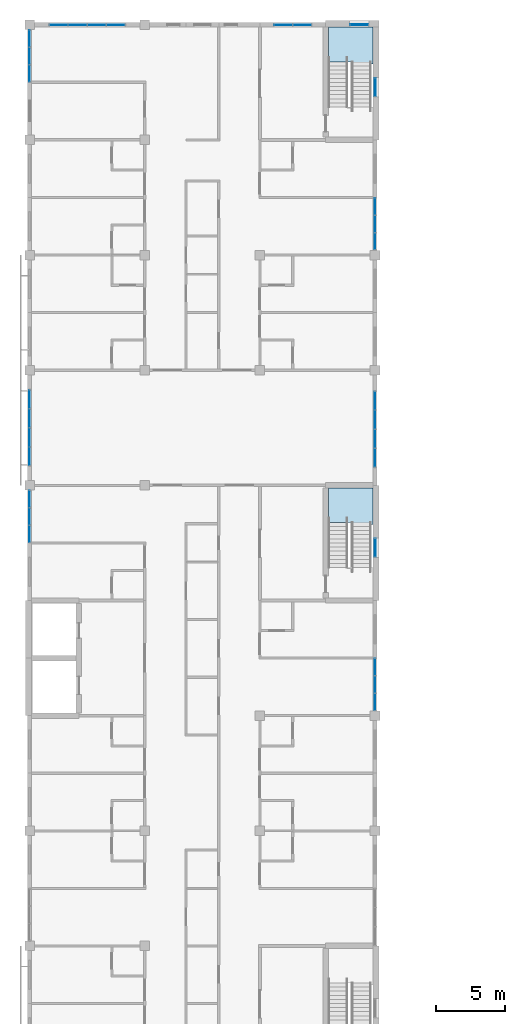
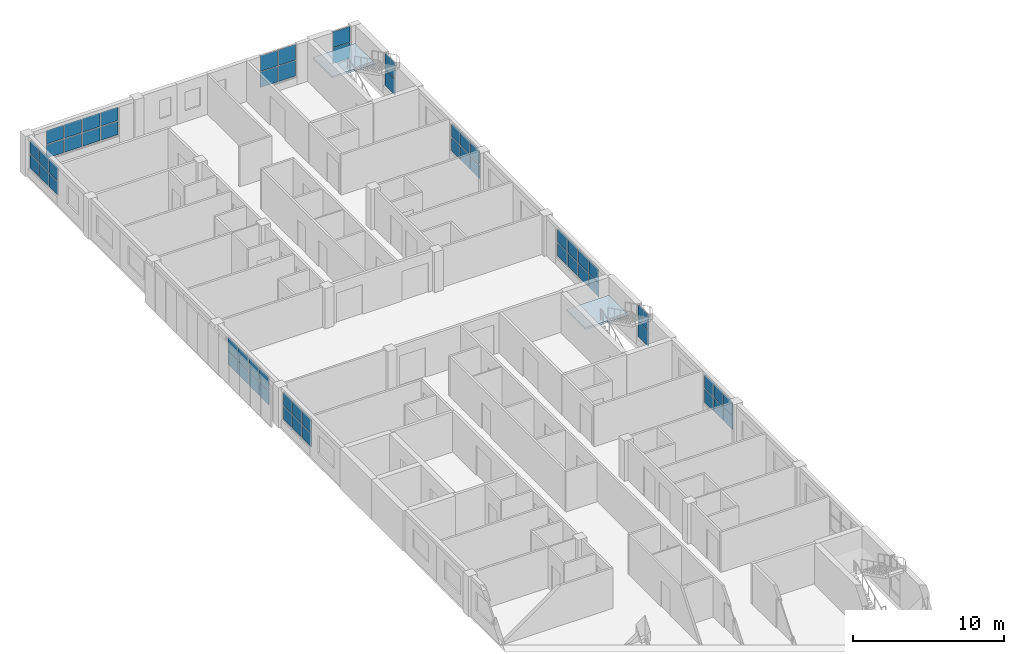
# One storey, part 25 of 61: 58 plates, 2 slabs, 13 elements without a shape of their own.
"""IFC4 building model written with IfcOpenShell, lengths in metres."""

from ifc_helpers import new_model, si_unit, direction, frame, origin, origin_2d, place, context, subcontext, project, spatial, polyline, rectangle, outline, extrude, material, layer, layer_set, type_object, element, aggregate, save


model = new_model("IFC4")

# Units and contexts
model_context = context("Model", 3, precision=1e-05, world=origin(), true_north=direction((0.0, 1.0)))
body_context = subcontext(model_context, "Body", "Model", "MODEL_VIEW")
ifc_project = project(units=[si_unit("LENGTHUNIT", "METRE"), si_unit("AREAUNIT", "SQUARE_METRE"), si_unit("VOLUMEUNIT", "CUBIC_METRE"), si_unit("PLANEANGLEUNIT", "RADIAN"), si_unit("MASSUNIT", "GRAM", prefix="KILO")], contexts=[model_context])

# Site, building, storey
site_placement = place(None, origin())
site = spatial("IfcSite", under=ifc_project, at=site_placement, CompositionType="ELEMENT")
building_placement = place(site_placement, origin())
building = spatial("IfcBuilding", under=site, at=building_placement, Name="Yavir Park General Hospital", CompositionType="ELEMENT")
storey_placement = place(building_placement, frame((0.0, 0.0, 15.300048828125)))
storey = spatial("IfcBuildingStorey", under=building, at=storey_placement, Name="L03", CompositionType="ELEMENT", Elevation=15.300048828125)

# Curtain wall, plates
ifc_material_1 = material(Name="Aluminium curtain wall frame with insulated glazing", Category="aluminium")
curtain_wall_type_1 = type_object("IfcCurtainWallType", Name="Day room pocket glazing, ward floors, 2360 high, 1400 module", PredefinedType="NOTDEFINED", material=ifc_material_1)
curtain_wall_1_placement = place(storey_placement, origin())
curtain_wall_1 = element("IfcCurtainWall", 1, at=curtain_wall_1_placement, inside=storey, type_object=curtain_wall_type_1, Name="CW6 L03-013", PredefinedType="NOTDEFINED")
ifc_material_2 = material(Name="Insulated glazed unit 30 mm, low-e coating")
ifc_layer_1 = layer(ifc_material_2, 0.030029296875)
ifc_layer_set_1 = layer_set([ifc_layer_1], Name="Insulated glazed unit 30 mm, low-e coating")
plate_type_1 = type_object("IfcPlateType", Name="Day room pocket glazing, ward floors, 2360 high panel 30", PredefinedType="CURTAIN_PANEL", material=ifc_layer_set_1)
plate_1_placement = place(storey_placement, frame((2.114990234375, 117.60009765625, 0.65966796875), z_axis=(0.0, 0.0, 1.0), x_axis=(1.0, 0.0, 0.0)))
plate_1 = element("IfcPlate", 2, at=plate_1_placement, type_object=plate_type_1, Name="CW6 panel 1.1", PredefinedType="CURTAIN_PANEL", context=body_context, shape_type="SweptSolid", body=[
    extrude(rectangle(XDim=1.31005859375, YDim=0.030029296875, at=origin_2d()), origin(), (0.0, 0.0, 1.0), 1.090087890625),
])
plate_2_placement = place(storey_placement, frame((2.114990234375, 117.60009765625, 1.81005859375), z_axis=(0.0, 0.0, 1.0), x_axis=(1.0, 0.0, 0.0)))
plate_2 = element("IfcPlate", 3, at=plate_2_placement, type_object=plate_type_1, Name="CW6 panel 1.2", PredefinedType="CURTAIN_PANEL", context=body_context, shape_type="SweptSolid", body=[
    extrude(rectangle(XDim=1.31005859375, YDim=0.030029296875, at=origin_2d()), origin(), (0.0, 0.0, 1.0), 1.090087890625),
])
plate_3_placement = place(storey_placement, frame((3.5, 117.60009765625, 0.65966796875), z_axis=(0.0, 0.0, 1.0), x_axis=(1.0, 0.0, 0.0)))
plate_3 = element("IfcPlate", 4, at=plate_3_placement, type_object=plate_type_1, Name="CW6 panel 2.1", PredefinedType="CURTAIN_PANEL", context=body_context, shape_type="SweptSolid", body=[
    extrude(rectangle(XDim=1.340087890625, YDim=0.030029296875, at=origin_2d()), origin(), (0.0, 0.0, 1.0), 1.090087890625),
])
plate_4_placement = place(storey_placement, frame((3.5, 117.60009765625, 1.81005859375), z_axis=(0.0, 0.0, 1.0), x_axis=(1.0, 0.0, 0.0)))
plate_4 = element("IfcPlate", 5, at=plate_4_placement, type_object=plate_type_1, Name="CW6 panel 2.2", PredefinedType="CURTAIN_PANEL", context=body_context, shape_type="SweptSolid", body=[
    extrude(rectangle(XDim=1.340087890625, YDim=0.030029296875, at=origin_2d()), origin(), (0.0, 0.0, 1.0), 1.090087890625),
])
plate_5_placement = place(storey_placement, frame((4.89990234375, 117.60009765625, 0.65966796875), z_axis=(0.0, 0.0, 1.0), x_axis=(1.0, 0.0, 0.0)))
plate_5 = element("IfcPlate", 6, at=plate_5_placement, type_object=plate_type_1, Name="CW6 panel 3.1", PredefinedType="CURTAIN_PANEL", context=body_context, shape_type="SweptSolid", body=[
    extrude(rectangle(XDim=1.340087890625, YDim=0.030029296875, at=origin_2d()), origin(), (0.0, 0.0, 1.0), 1.090087890625),
])
plate_6_placement = place(storey_placement, frame((4.89990234375, 117.60009765625, 1.81005859375), z_axis=(0.0, 0.0, 1.0), x_axis=(1.0, 0.0, 0.0)))
plate_6 = element("IfcPlate", 7, at=plate_6_placement, type_object=plate_type_1, Name="CW6 panel 3.2", PredefinedType="CURTAIN_PANEL", context=body_context, shape_type="SweptSolid", body=[
    extrude(rectangle(XDim=1.340087890625, YDim=0.030029296875, at=origin_2d()), origin(), (0.0, 0.0, 1.0), 1.090087890625),
])
plate_7_placement = place(storey_placement, frame((6.284912109375, 117.60009765625, 0.65966796875), z_axis=(0.0, 0.0, 1.0), x_axis=(1.0, 0.0, 0.0)))
plate_7 = element("IfcPlate", 8, at=plate_7_placement, type_object=plate_type_1, Name="CW6 panel 4.1", PredefinedType="CURTAIN_PANEL", context=body_context, shape_type="SweptSolid", body=[
    extrude(rectangle(XDim=1.31005859375, YDim=0.030029296875, at=origin_2d()), origin(), (0.0, 0.0, 1.0), 1.090087890625),
])
plate_8_placement = place(storey_placement, frame((6.284912109375, 117.60009765625, 1.81005859375), z_axis=(0.0, 0.0, 1.0), x_axis=(1.0, 0.0, 0.0)))
plate_8 = element("IfcPlate", 9, at=plate_8_placement, type_object=plate_type_1, Name="CW6 panel 4.2", PredefinedType="CURTAIN_PANEL", context=body_context, shape_type="SweptSolid", body=[
    extrude(rectangle(XDim=1.31005859375, YDim=0.030029296875, at=origin_2d()), origin(), (0.0, 0.0, 1.0), 1.090087890625),
])
aggregate(curtain_wall_1, [plate_1, plate_2, plate_3, plate_4, plate_5, plate_6, plate_7, plate_8])

curtain_wall_2_placement = place(storey_placement, origin())
curtain_wall_2 = element("IfcCurtainWall", 10, at=curtain_wall_2_placement, inside=storey, type_object=curtain_wall_type_1, Name="CW6 L03-019", PredefinedType="NOTDEFINED")
plate_9_placement = place(storey_placement, frame((0.0, 80.456787109375, 0.65966796875), z_axis=(0.0, 0.0, 1.0), x_axis=(0.0, 1.0, 0.0)))
plate_9 = element("IfcPlate", 11, at=plate_9_placement, type_object=plate_type_1, Name="CW6 panel 1.1", PredefinedType="CURTAIN_PANEL", context=body_context, shape_type="SweptSolid", body=[
    extrude(rectangle(XDim=1.193359375, YDim=0.030029296875, at=origin_2d()), origin(), (0.0, 0.0, 1.0), 1.090087890625),
])
plate_10_placement = place(storey_placement, frame((0.0, 80.456787109375, 1.81005859375), z_axis=(0.0, 0.0, 1.0), x_axis=(0.0, 1.0, 0.0)))
plate_10 = element("IfcPlate", 12, at=plate_10_placement, type_object=plate_type_1, Name="CW6 panel 1.2", PredefinedType="CURTAIN_PANEL", context=body_context, shape_type="SweptSolid", body=[
    extrude(rectangle(XDim=1.193359375, YDim=0.030029296875, at=origin_2d()), origin(), (0.0, 0.0, 1.0), 1.090087890625),
])
plate_11_placement = place(storey_placement, frame((0.0, 81.72509765625, 0.65966796875), z_axis=(0.0, 0.0, 1.0), x_axis=(0.0, 1.0, 0.0)))
plate_11 = element("IfcPlate", 13, at=plate_11_placement, type_object=plate_type_1, Name="CW6 panel 2.1", PredefinedType="CURTAIN_PANEL", context=body_context, shape_type="SweptSolid", body=[
    extrude(rectangle(XDim=1.223388671875, YDim=0.030029296875, at=origin_2d()), origin(), (0.0, 0.0, 1.0), 1.090087890625),
])
plate_12_placement = place(storey_placement, frame((0.0, 81.72509765625, 1.81005859375), z_axis=(0.0, 0.0, 1.0), x_axis=(0.0, 1.0, 0.0)))
plate_12 = element("IfcPlate", 14, at=plate_12_placement, type_object=plate_type_1, Name="CW6 panel 2.2", PredefinedType="CURTAIN_PANEL", context=body_context, shape_type="SweptSolid", body=[
    extrude(rectangle(XDim=1.223388671875, YDim=0.030029296875, at=origin_2d()), origin(), (0.0, 0.0, 1.0), 1.090087890625),
])
plate_13_placement = place(storey_placement, frame((0.0, 82.993408203125, 0.65966796875), z_axis=(0.0, 0.0, 1.0), x_axis=(0.0, 1.0, 0.0)))
plate_13 = element("IfcPlate", 15, at=plate_13_placement, type_object=plate_type_1, Name="CW6 panel 3.1", PredefinedType="CURTAIN_PANEL", context=body_context, shape_type="SweptSolid", body=[
    extrude(rectangle(XDim=1.193359375, YDim=0.030029296875, at=origin_2d()), origin(), (0.0, 0.0, 1.0), 1.090087890625),
])
plate_14_placement = place(storey_placement, frame((0.0, 82.993408203125, 1.81005859375), z_axis=(0.0, 0.0, 1.0), x_axis=(0.0, 1.0, 0.0)))
plate_14 = element("IfcPlate", 16, at=plate_14_placement, type_object=plate_type_1, Name="CW6 panel 3.2", PredefinedType="CURTAIN_PANEL", context=body_context, shape_type="SweptSolid", body=[
    extrude(rectangle(XDim=1.193359375, YDim=0.030029296875, at=origin_2d()), origin(), (0.0, 0.0, 1.0), 1.090087890625),
])
aggregate(curtain_wall_2, [plate_9, plate_10, plate_11, plate_12, plate_13, plate_14])

curtain_wall_3_placement = place(storey_placement, origin())
curtain_wall_3 = element("IfcCurtainWall", 17, at=curtain_wall_3_placement, inside=storey, type_object=curtain_wall_type_1, Name="CW6 L03-020", PredefinedType="NOTDEFINED")
plate_15_placement = place(storey_placement, frame((0.0, 86.114990234375, 0.65966796875), z_axis=(0.0, 0.0, 1.0), x_axis=(0.0, 1.0, 0.0)))
plate_15 = element("IfcPlate", 18, at=plate_15_placement, type_object=plate_type_1, Name="CW6 panel 1.1", PredefinedType="CURTAIN_PANEL", context=body_context, shape_type="SweptSolid", body=[
    extrude(rectangle(XDim=1.31005859375, YDim=0.030029296875, at=origin_2d()), origin(), (0.0, 0.0, 1.0), 1.090087890625),
])
plate_16_placement = place(storey_placement, frame((0.0, 86.114990234375, 1.81005859375), z_axis=(0.0, 0.0, 1.0), x_axis=(0.0, 1.0, 0.0)))
plate_16 = element("IfcPlate", 19, at=plate_16_placement, type_object=plate_type_1, Name="CW6 panel 1.2", PredefinedType="CURTAIN_PANEL", context=body_context, shape_type="SweptSolid", body=[
    extrude(rectangle(XDim=1.31005859375, YDim=0.030029296875, at=origin_2d()), origin(), (0.0, 0.0, 1.0), 1.090087890625),
])
plate_17_placement = place(storey_placement, frame((0.0, 87.5, 0.65966796875), z_axis=(0.0, 0.0, 1.0), x_axis=(0.0, 1.0, 0.0)))
plate_17 = element("IfcPlate", 20, at=plate_17_placement, type_object=plate_type_1, Name="CW6 panel 2.1", PredefinedType="CURTAIN_PANEL", context=body_context, shape_type="SweptSolid", body=[
    extrude(rectangle(XDim=1.340087890625, YDim=0.030029296875, at=origin_2d()), origin(), (0.0, 0.0, 1.0), 1.090087890625),
])
plate_18_placement = place(storey_placement, frame((0.0, 87.5, 1.81005859375), z_axis=(0.0, 0.0, 1.0), x_axis=(0.0, 1.0, 0.0)))
plate_18 = element("IfcPlate", 21, at=plate_18_placement, type_object=plate_type_1, Name="CW6 panel 2.2", PredefinedType="CURTAIN_PANEL", context=body_context, shape_type="SweptSolid", body=[
    extrude(rectangle(XDim=1.340087890625, YDim=0.030029296875, at=origin_2d()), origin(), (0.0, 0.0, 1.0), 1.090087890625),
])
plate_19_placement = place(storey_placement, frame((0.0, 88.89990234375, 0.65966796875), z_axis=(0.0, 0.0, 1.0), x_axis=(0.0, 1.0, 0.0)))
plate_19 = element("IfcPlate", 22, at=plate_19_placement, type_object=plate_type_1, Name="CW6 panel 3.1", PredefinedType="CURTAIN_PANEL", context=body_context, shape_type="SweptSolid", body=[
    extrude(rectangle(XDim=1.340087890625, YDim=0.030029296875, at=origin_2d()), origin(), (0.0, 0.0, 1.0), 1.090087890625),
])
plate_20_placement = place(storey_placement, frame((0.0, 88.89990234375, 1.81005859375), z_axis=(0.0, 0.0, 1.0), x_axis=(0.0, 1.0, 0.0)))
plate_20 = element("IfcPlate", 23, at=plate_20_placement, type_object=plate_type_1, Name="CW6 panel 3.2", PredefinedType="CURTAIN_PANEL", context=body_context, shape_type="SweptSolid", body=[
    extrude(rectangle(XDim=1.340087890625, YDim=0.030029296875, at=origin_2d()), origin(), (0.0, 0.0, 1.0), 1.090087890625),
])
plate_21_placement = place(storey_placement, frame((0.0, 90.284912109375, 0.65966796875), z_axis=(0.0, 0.0, 1.0), x_axis=(0.0, 1.0, 0.0)))
plate_21 = element("IfcPlate", 24, at=plate_21_placement, type_object=plate_type_1, Name="CW6 panel 4.1", PredefinedType="CURTAIN_PANEL", context=body_context, shape_type="SweptSolid", body=[
    extrude(rectangle(XDim=1.31005859375, YDim=0.030029296875, at=origin_2d()), origin(), (0.0, 0.0, 1.0), 1.090087890625),
])
plate_22_placement = place(storey_placement, frame((0.0, 90.284912109375, 1.81005859375), z_axis=(0.0, 0.0, 1.0), x_axis=(0.0, 1.0, 0.0)))
plate_22 = element("IfcPlate", 25, at=plate_22_placement, type_object=plate_type_1, Name="CW6 panel 4.2", PredefinedType="CURTAIN_PANEL", context=body_context, shape_type="SweptSolid", body=[
    extrude(rectangle(XDim=1.31005859375, YDim=0.030029296875, at=origin_2d()), origin(), (0.0, 0.0, 1.0), 1.090087890625),
])
aggregate(curtain_wall_3, [plate_15, plate_16, plate_17, plate_18, plate_19, plate_20, plate_21, plate_22])

curtain_wall_4_placement = place(storey_placement, origin())
curtain_wall_4 = element("IfcCurtainWall", 26, at=curtain_wall_4_placement, inside=storey, type_object=curtain_wall_type_1, Name="CW6 L03-021", PredefinedType="NOTDEFINED")
plate_23_placement = place(storey_placement, frame((0.0, 114.056640625, 0.65966796875), z_axis=(0.0, 0.0, 1.0), x_axis=(0.0, 1.0, 0.0)))
plate_23 = element("IfcPlate", 27, at=plate_23_placement, type_object=plate_type_1, Name="CW6 panel 1.1", PredefinedType="CURTAIN_PANEL", context=body_context, shape_type="SweptSolid", body=[
    extrude(rectangle(XDim=1.193359375, YDim=0.030029296875, at=origin_2d()), origin(), (0.0, 0.0, 1.0), 1.090087890625),
])
plate_24_placement = place(storey_placement, frame((0.0, 114.056640625, 1.81005859375), z_axis=(0.0, 0.0, 1.0), x_axis=(0.0, 1.0, 0.0)))
plate_24 = element("IfcPlate", 28, at=plate_24_placement, type_object=plate_type_1, Name="CW6 panel 1.2", PredefinedType="CURTAIN_PANEL", context=body_context, shape_type="SweptSolid", body=[
    extrude(rectangle(XDim=1.193359375, YDim=0.030029296875, at=origin_2d()), origin(), (0.0, 0.0, 1.0), 1.090087890625),
])
plate_25_placement = place(storey_placement, frame((0.0, 115.324951171875, 0.65966796875), z_axis=(0.0, 0.0, 1.0), x_axis=(0.0, 1.0, 0.0)))
plate_25 = element("IfcPlate", 29, at=plate_25_placement, type_object=plate_type_1, Name="CW6 panel 2.1", PredefinedType="CURTAIN_PANEL", context=body_context, shape_type="SweptSolid", body=[
    extrude(rectangle(XDim=1.223388671875, YDim=0.030029296875, at=origin_2d()), origin(), (0.0, 0.0, 1.0), 1.090087890625),
])
plate_26_placement = place(storey_placement, frame((0.0, 115.324951171875, 1.81005859375), z_axis=(0.0, 0.0, 1.0), x_axis=(0.0, 1.0, 0.0)))
plate_26 = element("IfcPlate", 30, at=plate_26_placement, type_object=plate_type_1, Name="CW6 panel 2.2", PredefinedType="CURTAIN_PANEL", context=body_context, shape_type="SweptSolid", body=[
    extrude(rectangle(XDim=1.223388671875, YDim=0.030029296875, at=origin_2d()), origin(), (0.0, 0.0, 1.0), 1.090087890625),
])
plate_27_placement = place(storey_placement, frame((0.0, 116.59326171875, 0.65966796875), z_axis=(0.0, 0.0, 1.0), x_axis=(0.0, 1.0, 0.0)))
plate_27 = element("IfcPlate", 31, at=plate_27_placement, type_object=plate_type_1, Name="CW6 panel 3.1", PredefinedType="CURTAIN_PANEL", context=body_context, shape_type="SweptSolid", body=[
    extrude(rectangle(XDim=1.193359375, YDim=0.030029296875, at=origin_2d()), origin(), (0.0, 0.0, 1.0), 1.090087890625),
])
plate_28_placement = place(storey_placement, frame((0.0, 116.59326171875, 1.81005859375), z_axis=(0.0, 0.0, 1.0), x_axis=(0.0, 1.0, 0.0)))
plate_28 = element("IfcPlate", 32, at=plate_28_placement, type_object=plate_type_1, Name="CW6 panel 3.2", PredefinedType="CURTAIN_PANEL", context=body_context, shape_type="SweptSolid", body=[
    extrude(rectangle(XDim=1.193359375, YDim=0.030029296875, at=origin_2d()), origin(), (0.0, 0.0, 1.0), 1.090087890625),
])
aggregate(curtain_wall_4, [plate_23, plate_24, plate_25, plate_26, plate_27, plate_28])

curtain_wall_5_placement = place(storey_placement, origin())
curtain_wall_5 = element("IfcCurtainWall", 33, at=curtain_wall_5_placement, inside=storey, type_object=curtain_wall_type_1, Name="CW6 L03-024", PredefinedType="NOTDEFINED")
plate_29_placement = place(storey_placement, frame((25.199951171875, 68.206787109375, 0.65966796875), z_axis=(0.0, 0.0, 1.0), x_axis=(0.0, 1.0, 0.0)))
plate_29 = element("IfcPlate", 34, at=plate_29_placement, type_object=plate_type_1, Name="CW6 panel 1.1", PredefinedType="CURTAIN_PANEL", context=body_context, shape_type="SweptSolid", body=[
    extrude(rectangle(XDim=1.193359375, YDim=0.030029296875, at=origin_2d()), origin(), (0.0, 0.0, 1.0), 1.090087890625),
])
plate_30_placement = place(storey_placement, frame((25.199951171875, 68.206787109375, 1.81005859375), z_axis=(0.0, 0.0, 1.0), x_axis=(0.0, 1.0, 0.0)))
plate_30 = element("IfcPlate", 35, at=plate_30_placement, type_object=plate_type_1, Name="CW6 panel 1.2", PredefinedType="CURTAIN_PANEL", context=body_context, shape_type="SweptSolid", body=[
    extrude(rectangle(XDim=1.193359375, YDim=0.030029296875, at=origin_2d()), origin(), (0.0, 0.0, 1.0), 1.090087890625),
])
plate_31_placement = place(storey_placement, frame((25.199951171875, 69.47509765625, 0.65966796875), z_axis=(0.0, 0.0, 1.0), x_axis=(0.0, 1.0, 0.0)))
plate_31 = element("IfcPlate", 36, at=plate_31_placement, type_object=plate_type_1, Name="CW6 panel 2.1", PredefinedType="CURTAIN_PANEL", context=body_context, shape_type="SweptSolid", body=[
    extrude(rectangle(XDim=1.223388671875, YDim=0.030029296875, at=origin_2d()), origin(), (0.0, 0.0, 1.0), 1.090087890625),
])
plate_32_placement = place(storey_placement, frame((25.199951171875, 69.47509765625, 1.81005859375), z_axis=(0.0, 0.0, 1.0), x_axis=(0.0, 1.0, 0.0)))
plate_32 = element("IfcPlate", 37, at=plate_32_placement, type_object=plate_type_1, Name="CW6 panel 2.2", PredefinedType="CURTAIN_PANEL", context=body_context, shape_type="SweptSolid", body=[
    extrude(rectangle(XDim=1.223388671875, YDim=0.030029296875, at=origin_2d()), origin(), (0.0, 0.0, 1.0), 1.090087890625),
])
plate_33_placement = place(storey_placement, frame((25.199951171875, 70.743408203125, 0.65966796875), z_axis=(0.0, 0.0, 1.0), x_axis=(0.0, 1.0, 0.0)))
plate_33 = element("IfcPlate", 38, at=plate_33_placement, type_object=plate_type_1, Name="CW6 panel 3.1", PredefinedType="CURTAIN_PANEL", context=body_context, shape_type="SweptSolid", body=[
    extrude(rectangle(XDim=1.193359375, YDim=0.030029296875, at=origin_2d()), origin(), (0.0, 0.0, 1.0), 1.090087890625),
])
plate_34_placement = place(storey_placement, frame((25.199951171875, 70.743408203125, 1.81005859375), z_axis=(0.0, 0.0, 1.0), x_axis=(0.0, 1.0, 0.0)))
plate_34 = element("IfcPlate", 39, at=plate_34_placement, type_object=plate_type_1, Name="CW6 panel 3.2", PredefinedType="CURTAIN_PANEL", context=body_context, shape_type="SweptSolid", body=[
    extrude(rectangle(XDim=1.193359375, YDim=0.030029296875, at=origin_2d()), origin(), (0.0, 0.0, 1.0), 1.090087890625),
])
aggregate(curtain_wall_5, [plate_29, plate_30, plate_31, plate_32, plate_33, plate_34])

curtain_wall_6_placement = place(storey_placement, origin())
curtain_wall_6 = element("IfcCurtainWall", 40, at=curtain_wall_6_placement, inside=storey, type_object=curtain_wall_type_1, Name="CW6 L03-026", PredefinedType="NOTDEFINED")
plate_35_placement = place(storey_placement, frame((25.199951171875, 86.014892578125, 0.65966796875), z_axis=(0.0, 0.0, 1.0), x_axis=(0.0, 1.0, 0.0)))
plate_35 = element("IfcPlate", 41, at=plate_35_placement, type_object=plate_type_1, Name="CW6 panel 1.1", PredefinedType="CURTAIN_PANEL", context=body_context, shape_type="SweptSolid", body=[
    extrude(rectangle(XDim=1.31005859375, YDim=0.030029296875, at=origin_2d()), origin(), (0.0, 0.0, 1.0), 1.090087890625),
])
plate_36_placement = place(storey_placement, frame((25.199951171875, 86.014892578125, 1.81005859375), z_axis=(0.0, 0.0, 1.0), x_axis=(0.0, 1.0, 0.0)))
plate_36 = element("IfcPlate", 42, at=plate_36_placement, type_object=plate_type_1, Name="CW6 panel 1.2", PredefinedType="CURTAIN_PANEL", context=body_context, shape_type="SweptSolid", body=[
    extrude(rectangle(XDim=1.31005859375, YDim=0.030029296875, at=origin_2d()), origin(), (0.0, 0.0, 1.0), 1.090087890625),
])
plate_37_placement = place(storey_placement, frame((25.199951171875, 87.39990234375, 0.65966796875), z_axis=(0.0, 0.0, 1.0), x_axis=(0.0, 1.0, 0.0)))
plate_37 = element("IfcPlate", 43, at=plate_37_placement, type_object=plate_type_1, Name="CW6 panel 2.1", PredefinedType="CURTAIN_PANEL", context=body_context, shape_type="SweptSolid", body=[
    extrude(rectangle(XDim=1.340087890625, YDim=0.030029296875, at=origin_2d()), origin(), (0.0, 0.0, 1.0), 1.090087890625),
])
plate_38_placement = place(storey_placement, frame((25.199951171875, 87.39990234375, 1.81005859375), z_axis=(0.0, 0.0, 1.0), x_axis=(0.0, 1.0, 0.0)))
plate_38 = element("IfcPlate", 44, at=plate_38_placement, type_object=plate_type_1, Name="CW6 panel 2.2", PredefinedType="CURTAIN_PANEL", context=body_context, shape_type="SweptSolid", body=[
    extrude(rectangle(XDim=1.340087890625, YDim=0.030029296875, at=origin_2d()), origin(), (0.0, 0.0, 1.0), 1.090087890625),
])
plate_39_placement = place(storey_placement, frame((25.199951171875, 88.800048828125, 0.65966796875), z_axis=(0.0, 0.0, 1.0), x_axis=(0.0, 1.0, 0.0)))
plate_39 = element("IfcPlate", 45, at=plate_39_placement, type_object=plate_type_1, Name="CW6 panel 3.1", PredefinedType="CURTAIN_PANEL", context=body_context, shape_type="SweptSolid", body=[
    extrude(rectangle(XDim=1.340087890625, YDim=0.030029296875, at=origin_2d()), origin(), (0.0, 0.0, 1.0), 1.090087890625),
])
plate_40_placement = place(storey_placement, frame((25.199951171875, 88.800048828125, 1.81005859375), z_axis=(0.0, 0.0, 1.0), x_axis=(0.0, 1.0, 0.0)))
plate_40 = element("IfcPlate", 46, at=plate_40_placement, type_object=plate_type_1, Name="CW6 panel 3.2", PredefinedType="CURTAIN_PANEL", context=body_context, shape_type="SweptSolid", body=[
    extrude(rectangle(XDim=1.340087890625, YDim=0.030029296875, at=origin_2d()), origin(), (0.0, 0.0, 1.0), 1.090087890625),
])
plate_41_placement = place(storey_placement, frame((25.199951171875, 90.18505859375, 0.65966796875), z_axis=(0.0, 0.0, 1.0), x_axis=(0.0, 1.0, 0.0)))
plate_41 = element("IfcPlate", 47, at=plate_41_placement, type_object=plate_type_1, Name="CW6 panel 4.1", PredefinedType="CURTAIN_PANEL", context=body_context, shape_type="SweptSolid", body=[
    extrude(rectangle(XDim=1.31005859375, YDim=0.030029296875, at=origin_2d()), origin(), (0.0, 0.0, 1.0), 1.090087890625),
])
plate_42_placement = place(storey_placement, frame((25.199951171875, 90.18505859375, 1.81005859375), z_axis=(0.0, 0.0, 1.0), x_axis=(0.0, 1.0, 0.0)))
plate_42 = element("IfcPlate", 48, at=plate_42_placement, type_object=plate_type_1, Name="CW6 panel 4.2", PredefinedType="CURTAIN_PANEL", context=body_context, shape_type="SweptSolid", body=[
    extrude(rectangle(XDim=1.31005859375, YDim=0.030029296875, at=origin_2d()), origin(), (0.0, 0.0, 1.0), 1.090087890625),
])
aggregate(curtain_wall_6, [plate_35, plate_36, plate_37, plate_38, plate_39, plate_40, plate_41, plate_42])

curtain_wall_7_placement = place(storey_placement, origin())
curtain_wall_7 = element("IfcCurtainWall", 49, at=curtain_wall_7_placement, inside=storey, type_object=curtain_wall_type_1, Name="CW6 L03-027", PredefinedType="NOTDEFINED")
plate_43_placement = place(storey_placement, frame((25.199951171875, 101.806640625, 0.65966796875), z_axis=(0.0, 0.0, 1.0), x_axis=(0.0, 1.0, 0.0)))
plate_43 = element("IfcPlate", 50, at=plate_43_placement, type_object=plate_type_1, Name="CW6 panel 1.1", PredefinedType="CURTAIN_PANEL", context=body_context, shape_type="SweptSolid", body=[
    extrude(rectangle(XDim=1.193359375, YDim=0.030029296875, at=origin_2d()), origin(), (0.0, 0.0, 1.0), 1.090087890625),
])
plate_44_placement = place(storey_placement, frame((25.199951171875, 101.806640625, 1.81005859375), z_axis=(0.0, 0.0, 1.0), x_axis=(0.0, 1.0, 0.0)))
plate_44 = element("IfcPlate", 51, at=plate_44_placement, type_object=plate_type_1, Name="CW6 panel 1.2", PredefinedType="CURTAIN_PANEL", context=body_context, shape_type="SweptSolid", body=[
    extrude(rectangle(XDim=1.193359375, YDim=0.030029296875, at=origin_2d()), origin(), (0.0, 0.0, 1.0), 1.090087890625),
])
plate_45_placement = place(storey_placement, frame((25.199951171875, 103.074951171875, 0.65966796875), z_axis=(0.0, 0.0, 1.0), x_axis=(0.0, 1.0, 0.0)))
plate_45 = element("IfcPlate", 52, at=plate_45_placement, type_object=plate_type_1, Name="CW6 panel 2.1", PredefinedType="CURTAIN_PANEL", context=body_context, shape_type="SweptSolid", body=[
    extrude(rectangle(XDim=1.223388671875, YDim=0.030029296875, at=origin_2d()), origin(), (0.0, 0.0, 1.0), 1.090087890625),
])
plate_46_placement = place(storey_placement, frame((25.199951171875, 103.074951171875, 1.81005859375), z_axis=(0.0, 0.0, 1.0), x_axis=(0.0, 1.0, 0.0)))
plate_46 = element("IfcPlate", 53, at=plate_46_placement, type_object=plate_type_1, Name="CW6 panel 2.2", PredefinedType="CURTAIN_PANEL", context=body_context, shape_type="SweptSolid", body=[
    extrude(rectangle(XDim=1.223388671875, YDim=0.030029296875, at=origin_2d()), origin(), (0.0, 0.0, 1.0), 1.090087890625),
])
plate_47_placement = place(storey_placement, frame((25.199951171875, 104.34326171875, 0.65966796875), z_axis=(0.0, 0.0, 1.0), x_axis=(0.0, 1.0, 0.0)))
plate_47 = element("IfcPlate", 54, at=plate_47_placement, type_object=plate_type_1, Name="CW6 panel 3.1", PredefinedType="CURTAIN_PANEL", context=body_context, shape_type="SweptSolid", body=[
    extrude(rectangle(XDim=1.193359375, YDim=0.030029296875, at=origin_2d()), origin(), (0.0, 0.0, 1.0), 1.090087890625),
])
plate_48_placement = place(storey_placement, frame((25.199951171875, 104.34326171875, 1.81005859375), z_axis=(0.0, 0.0, 1.0), x_axis=(0.0, 1.0, 0.0)))
plate_48 = element("IfcPlate", 55, at=plate_48_placement, type_object=plate_type_1, Name="CW6 panel 3.2", PredefinedType="CURTAIN_PANEL", context=body_context, shape_type="SweptSolid", body=[
    extrude(rectangle(XDim=1.193359375, YDim=0.030029296875, at=origin_2d()), origin(), (0.0, 0.0, 1.0), 1.090087890625),
])
aggregate(curtain_wall_7, [plate_43, plate_44, plate_45, plate_46, plate_47, plate_48])

# Stair, slab
ifc_material_3 = material(Name="Concrete C30/37", Category="concrete")
stair_type = type_object("IfcStairType", Name="Patient escape stair, 24 risers of 150 mm, 1400 mm flights", PredefinedType="HALF_TURN_STAIR", material=ifc_material_3)
stair_1_placement = place(storey_placement, origin())
stair_1 = element("IfcStair", 56, at=stair_1_placement, inside=storey, type_object=stair_type, Name="Stair SW2, L03 to L04", PredefinedType="HALF_TURN_STAIR")
ifc_material_4 = material(Name="Concrete C30/37", Category="concrete")
ifc_layer_2 = layer(ifc_material_4, 0.159912109375)
ifc_layer_set_2 = layer_set([ifc_layer_2], Name="Concrete C30/37")
slab_type = type_object("IfcSlabType", Name="Patient escape stair half landing, reinforced concrete 160 mm", PredefinedType="LANDING", material=ifc_layer_set_2)
slab_1_placement = place(storey_placement, frame((0.0, 0.0, 1.639892578125)))
slab_1 = element("IfcSlab", 57, at=slab_1_placement, type_object=slab_type, Name="SW2 landing 1", PredefinedType="LANDING", context=body_context, shape_type="SweptSolid", body=[
    extrude(outline(polyline([(21.800048828125, 81.298583984375), (21.800048828125, 83.800048828125), (25.050048828125, 83.800048828125), (25.050048828125, 81.14990234375), (23.5, 81.14990234375), (23.5, 81.298583984375), (21.800048828125, 81.298583984375)])), origin(), (0.0, 0.0, 1.0), 0.16015625),
])
aggregate(stair_1, [slab_1])

stair_2_placement = place(storey_placement, origin())
stair_2 = element("IfcStair", 58, at=stair_2_placement, inside=storey, type_object=stair_type, Name="Stair SW3, L03 to L04", PredefinedType="HALF_TURN_STAIR")
slab_2_placement = place(storey_placement, frame((0.0, 0.0, 1.639892578125)))
slab_2 = element("IfcSlab", 59, at=slab_2_placement, type_object=slab_type, Name="SW3 landing 1", PredefinedType="LANDING", context=body_context, shape_type="SweptSolid", body=[
    extrude(outline(polyline([(21.800048828125, 114.8984375), (21.800048828125, 117.449951171875), (25.050048828125, 117.449951171875), (25.050048828125, 114.75), (23.5, 114.75), (23.5, 114.8984375), (21.800048828125, 114.8984375)])), origin(), (0.0, 0.0, 1.0), 0.16015625),
])
aggregate(stair_2, [slab_2])

# Curtain wall, plates
ifc_material_5 = material(Name="Aluminium curtain wall frame with insulated glazing", Category="aluminium")
curtain_wall_type_2 = type_object("IfcCurtainWallType", Name="Stair light slot, ward floors, 2660 high, 1400 module", PredefinedType="NOTDEFINED", material=ifc_material_5)
curtain_wall_8_placement = place(storey_placement, origin())
curtain_wall_8 = element("IfcCurtainWall", 60, at=curtain_wall_8_placement, inside=storey, type_object=curtain_wall_type_2, Name="CW10 L03-015", PredefinedType="NOTDEFINED")
ifc_material_6 = material(Name="Fire-resisting glazed unit 70 mm")
ifc_layer_3 = layer(ifc_material_6, 0.070068359375)
ifc_layer_set_3 = layer_set([ifc_layer_3], Name="Fire-resisting glazed unit 70 mm")
plate_type_2 = type_object("IfcPlateType", Name="Stair light slot, ward floors, 2660 high panel 70", PredefinedType="CURTAIN_PANEL", material=ifc_layer_set_3)
plate_49_placement = place(storey_placement, frame((24.050048828125, 117.60009765625, 0.64990234375), z_axis=(0.0, 0.0, 1.0), x_axis=(1.0, 0.0, 0.0)))
plate_49 = element("IfcPlate", 61, at=plate_49_placement, type_object=plate_type_2, Name="CW10 panel 1.1", PredefinedType="CURTAIN_PANEL", context=body_context, shape_type="SweptSolid", body=[
    extrude(rectangle(XDim=1.300048828125, YDim=0.070068359375, at=origin_2d()), origin(), (0.0, 0.0, 1.0), 1.2548828125),
])
plate_50_placement = place(storey_placement, frame((24.050048828125, 117.60009765625, 1.955078125), z_axis=(0.0, 0.0, 1.0), x_axis=(1.0, 0.0, 0.0)))
plate_50 = element("IfcPlate", 62, at=plate_50_placement, type_object=plate_type_2, Name="CW10 panel 1.2", PredefinedType="CURTAIN_PANEL", context=body_context, shape_type="SweptSolid", body=[
    extrude(rectangle(XDim=1.300048828125, YDim=0.070068359375, at=origin_2d()), origin(), (0.0, 0.0, 1.0), 1.2548828125),
])
aggregate(curtain_wall_8, [plate_49, plate_50])

curtain_wall_9_placement = place(storey_placement, origin())
curtain_wall_9 = element("IfcCurtainWall", 63, at=curtain_wall_9_placement, inside=storey, type_object=curtain_wall_type_2, Name="CW10 L03-025", PredefinedType="NOTDEFINED")
plate_51_placement = place(storey_placement, frame((25.199951171875, 79.449951171875, 0.64990234375), z_axis=(0.0, 0.0, 1.0), x_axis=(0.0, 1.0, 0.0)))
plate_51 = element("IfcPlate", 64, at=plate_51_placement, type_object=plate_type_2, Name="CW10 panel 1.1", PredefinedType="CURTAIN_PANEL", context=body_context, shape_type="SweptSolid", body=[
    extrude(rectangle(XDim=1.300048828125, YDim=0.070068359375, at=origin_2d()), origin(), (0.0, 0.0, 1.0), 1.2548828125),
])
plate_52_placement = place(storey_placement, frame((25.199951171875, 79.449951171875, 1.955078125), z_axis=(0.0, 0.0, 1.0), x_axis=(0.0, 1.0, 0.0)))
plate_52 = element("IfcPlate", 65, at=plate_52_placement, type_object=plate_type_2, Name="CW10 panel 1.2", PredefinedType="CURTAIN_PANEL", context=body_context, shape_type="SweptSolid", body=[
    extrude(rectangle(XDim=1.300048828125, YDim=0.070068359375, at=origin_2d()), origin(), (0.0, 0.0, 1.0), 1.2548828125),
])
aggregate(curtain_wall_9, [plate_51, plate_52])

curtain_wall_10_placement = place(storey_placement, origin())
curtain_wall_10 = element("IfcCurtainWall", 66, at=curtain_wall_10_placement, inside=storey, type_object=curtain_wall_type_2, Name="CW10 L03-028", PredefinedType="NOTDEFINED")
plate_53_placement = place(storey_placement, frame((25.199951171875, 113.050048828125, 0.64990234375), z_axis=(0.0, 0.0, 1.0), x_axis=(0.0, 1.0, 0.0)))
plate_53 = element("IfcPlate", 67, at=plate_53_placement, type_object=plate_type_2, Name="CW10 panel 1.1", PredefinedType="CURTAIN_PANEL", context=body_context, shape_type="SweptSolid", body=[
    extrude(rectangle(XDim=1.300048828125, YDim=0.070068359375, at=origin_2d()), origin(), (0.0, 0.0, 1.0), 1.2548828125),
])
plate_54_placement = place(storey_placement, frame((25.199951171875, 113.050048828125, 1.955078125), z_axis=(0.0, 0.0, 1.0), x_axis=(0.0, 1.0, 0.0)))
plate_54 = element("IfcPlate", 68, at=plate_54_placement, type_object=plate_type_2, Name="CW10 panel 1.2", PredefinedType="CURTAIN_PANEL", context=body_context, shape_type="SweptSolid", body=[
    extrude(rectangle(XDim=1.300048828125, YDim=0.070068359375, at=origin_2d()), origin(), (0.0, 0.0, 1.0), 1.2548828125),
])
aggregate(curtain_wall_10, [plate_53, plate_54])

ifc_material_7 = material(Name="Aluminium curtain wall frame with insulated glazing", Category="aluminium")
curtain_wall_type_3 = type_object("IfcCurtainWallType", Name="Ward corridor end glazing, 2660 high, 1400 module", PredefinedType="NOTDEFINED", material=ifc_material_7)
curtain_wall_11_placement = place(storey_placement, origin())
curtain_wall_11 = element("IfcCurtainWall", 69, at=curtain_wall_11_placement, inside=storey, type_object=curtain_wall_type_3, Name="CW15 L03-014", PredefinedType="NOTDEFINED")
ifc_material_8 = material(Name="Insulated glazed unit 30 mm, low-e coating")
ifc_layer_4 = layer(ifc_material_8, 0.030029296875)
ifc_layer_set_4 = layer_set([ifc_layer_4], Name="Insulated glazed unit 30 mm, low-e coating")
plate_type_3 = type_object("IfcPlateType", Name="Ward corridor end glazing, 2660 high panel 30", PredefinedType="CURTAIN_PANEL", material=ifc_layer_set_4)
plate_55_placement = place(storey_placement, frame((18.512451171875, 117.60009765625, 0.64990234375), z_axis=(0.0, 0.0, 1.0), x_axis=(1.0, 0.0, 0.0)))
plate_55 = element("IfcPlate", 70, at=plate_55_placement, type_object=plate_type_3, Name="CW15 panel 1.1", PredefinedType="CURTAIN_PANEL", context=body_context, shape_type="SweptSolid", body=[
    extrude(rectangle(XDim=1.324951171875, YDim=0.030029296875, at=origin_2d()), origin(), (0.0, 0.0, 1.0), 1.2548828125),
])
plate_56_placement = place(storey_placement, frame((18.512451171875, 117.60009765625, 1.955078125), z_axis=(0.0, 0.0, 1.0), x_axis=(1.0, 0.0, 0.0)))
plate_56 = element("IfcPlate", 71, at=plate_56_placement, type_object=plate_type_3, Name="CW15 panel 1.2", PredefinedType="CURTAIN_PANEL", context=body_context, shape_type="SweptSolid", body=[
    extrude(rectangle(XDim=1.324951171875, YDim=0.030029296875, at=origin_2d()), origin(), (0.0, 0.0, 1.0), 1.2548828125),
])
plate_57_placement = place(storey_placement, frame((19.887451171875, 117.60009765625, 0.64990234375), z_axis=(0.0, 0.0, 1.0), x_axis=(1.0, 0.0, 0.0)))
plate_57 = element("IfcPlate", 72, at=plate_57_placement, type_object=plate_type_3, Name="CW15 panel 2.1", PredefinedType="CURTAIN_PANEL", context=body_context, shape_type="SweptSolid", body=[
    extrude(rectangle(XDim=1.324951171875, YDim=0.030029296875, at=origin_2d()), origin(), (0.0, 0.0, 1.0), 1.2548828125),
])
plate_58_placement = place(storey_placement, frame((19.887451171875, 117.60009765625, 1.955078125), z_axis=(0.0, 0.0, 1.0), x_axis=(1.0, 0.0, 0.0)))
plate_58 = element("IfcPlate", 73, at=plate_58_placement, type_object=plate_type_3, Name="CW15 panel 2.2", PredefinedType="CURTAIN_PANEL", context=body_context, shape_type="SweptSolid", body=[
    extrude(rectangle(XDim=1.324951171875, YDim=0.030029296875, at=origin_2d()), origin(), (0.0, 0.0, 1.0), 1.2548828125),
])
aggregate(curtain_wall_11, [plate_55, plate_56, plate_57, plate_58])

save(model, "model.ifc")
